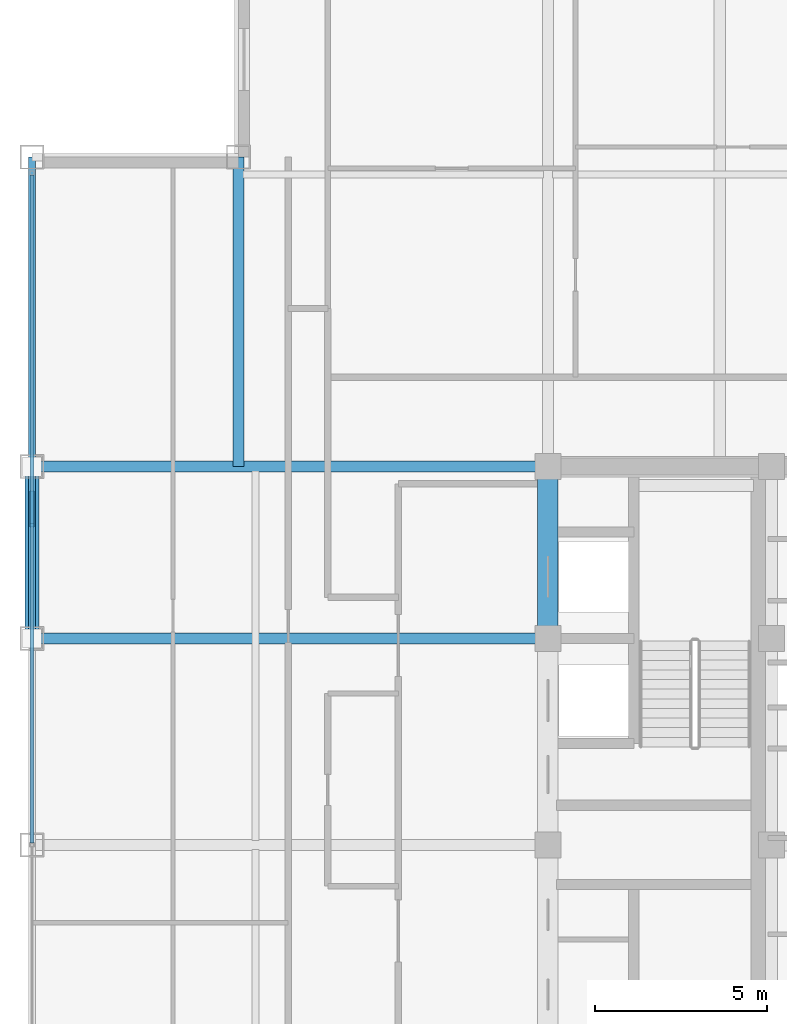
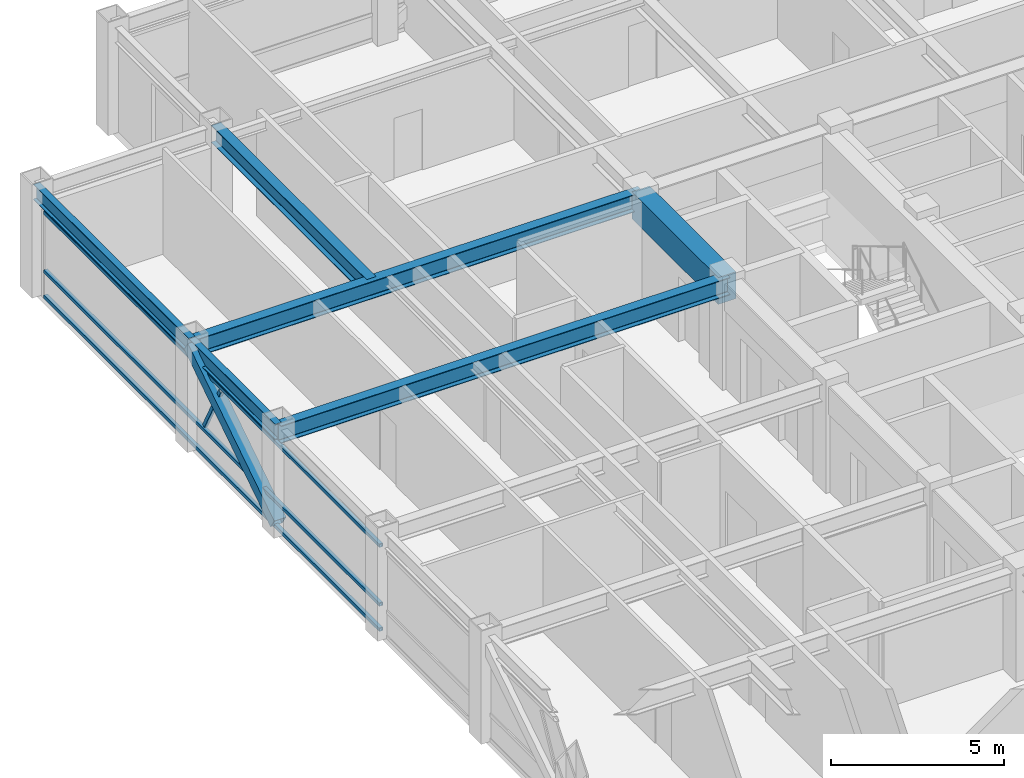
# One storey, part 13 of 29: 6 beams, 5 members, 1 element without a shape of its own.
"""IFC4 building model written with IfcOpenShell, lengths in metres."""

from ifc_helpers import new_model, si_unit, direction, frame, origin, origin_2d, place, context, subcontext, project, spatial, rectangle, hollow_rectangle, i_section, extrude, source, transform, mapped, material, material_profile, profile_set, type_object, element, aggregate, save


model = new_model("IFC4")

# Units and contexts
model_context = context("Model", 3, precision=1e-05, world=origin(), true_north=direction((0.0, 1.0)))
body_context = subcontext(model_context, "Body", "Model", "MODEL_VIEW")
ifc_project = project(units=[si_unit("LENGTHUNIT", "METRE"), si_unit("AREAUNIT", "SQUARE_METRE"), si_unit("VOLUMEUNIT", "CUBIC_METRE"), si_unit("PLANEANGLEUNIT", "RADIAN"), si_unit("MASSUNIT", "GRAM", prefix="KILO")], contexts=[model_context])

# Site, building, storey
site_placement = place(None, origin())
site = spatial("IfcSite", under=ifc_project, at=site_placement, CompositionType="ELEMENT")
building_placement = place(site_placement, origin())
building = spatial("IfcBuilding", under=site, at=building_placement, Name="Khorayat Bourse Tower", CompositionType="ELEMENT")
storey_placement = place(building_placement, frame((0.0, 0.0, 358.300048828125)))
storey = spatial("IfcBuildingStorey", under=building, at=storey_placement, Name="L85", CompositionType="ELEMENT", Elevation=358.300048828125)

# Beams
ifc_material_1 = material(Name="Concrete C60/75", Category="concrete")
ifc_material_profile_1 = material_profile(ifc_material_1, rectangle(XDim=0.60009765625, YDim=0.949951171875, at=origin_2d()), Name="RC 600x950")
ifc_profile_set_1 = profile_set([ifc_material_profile_1], Name="Concrete C60/75")
beam_type_1 = type_object("IfcBeamType", Name="BM-COUP-950", PredefinedType="BEAM", material=ifc_profile_set_1)
shared_shape_1 = source(origin(), body_context, "Body", "SweptSolid", [
    extrude(rectangle(XDim=0.60009765625, YDim=0.949951171875, at=origin_2d()), origin(), (0.0, 0.0, 1.0), 5.0),
])
beam_1_placement = place(storey_placement, frame((-11.0, 6.0, 3.264892578125), z_axis=(0.0, 1.0, 0.0), x_axis=(-1.0, 0.0, 0.0)))
element("IfcBeam", 1, at=beam_1_placement, inside=storey, type_object=beam_type_1, Name="L85 BM-COUP-950 BM-L85-CRX-04", PredefinedType="BEAM", context=body_context, shape_type="MappedRepresentation", body=[
    mapped(shared_shape_1, transform((0.0, 0.0, 0.0), scale=1.0)),
])
ifc_material_2 = material(Name="Steel ASTM A992 Grade 50", Category="steel")
ifc_material_profile_2 = material_profile(ifc_material_2, i_section(OverallWidth=0.214111328125, OverallDepth=0.549072265625, WebThickness=0.0146484375, FlangeThickness=0.023681640625, FilletRadius=0.013916015625, at=origin_2d()), Name="W530X138")
ifc_profile_set_2 = profile_set([ifc_material_profile_2], Name="Steel ASTM A992 Grade 50")
beam_type_2 = type_object("IfcBeamType", Name="BM-SPAN-530", PredefinedType="SPANDREL", material=ifc_profile_set_2)
shared_shape_2 = source(origin(), body_context, "Body", "SweptSolid", [
    extrude(i_section(OverallWidth=0.214111328125, OverallDepth=0.549072265625, WebThickness=0.0146484375, FlangeThickness=0.023681640625, FilletRadius=0.013916015625, at=origin_2d()), origin(), (0.0, 0.0, 1.0), 9.0),
])
beam_2_placement = place(storey_placement, frame((-26.0, 11.0, 3.46533203125), z_axis=(0.0, 1.0, 0.0), x_axis=(-1.0, 0.0, 0.0)))
element("IfcBeam", 2, at=beam_2_placement, inside=storey, type_object=beam_type_2, Name="L85 BM-SPAN-530 BM-L85-SPN-048", PredefinedType="SPANDREL", context=body_context, shape_type="MappedRepresentation", body=[
    mapped(shared_shape_2, transform((0.0, 0.0, 0.0), scale=1.0)),
])
shared_shape_3 = source(origin(), body_context, "Body", "SweptSolid", [
    extrude(i_section(OverallWidth=0.214111328125, OverallDepth=0.549072265625, WebThickness=0.0146484375, FlangeThickness=0.023681640625, FilletRadius=0.013916015625, at=origin_2d()), origin(), (0.0, 0.0, 1.0), 5.0),
])
beam_3_placement = place(storey_placement, frame((-26.0, 6.0, 3.46533203125), z_axis=(0.0, 1.0, 0.0), x_axis=(-1.0, 0.0, 0.0)))
element("IfcBeam", 3, at=beam_3_placement, inside=storey, type_object=beam_type_2, Name="L85 BM-SPAN-530 BM-L85-SPN-049", PredefinedType="SPANDREL", context=body_context, shape_type="MappedRepresentation", body=[
    mapped(shared_shape_3, transform((0.0, 0.0, 0.0), scale=1.0)),
])
ifc_material_profile_3 = material_profile(ifc_material_2, i_section(OverallWidth=0.324951171875, OverallDepth=0.615966796875, WebThickness=0.013916015625, FlangeThickness=0.021484375, FilletRadius=0.01611328125, at=origin_2d()), Name="W610X174")
ifc_profile_set_3 = profile_set([ifc_material_profile_3], Name="Steel ASTM A992 Grade 50")
beam_type_3 = type_object("IfcBeamType", Name="BM-GIRD-610", PredefinedType="BEAM", material=ifc_profile_set_3)
shared_shape_4 = source(origin(), body_context, "Body", "SweptSolid", [
    extrude(i_section(OverallWidth=0.324951171875, OverallDepth=0.615966796875, WebThickness=0.013916015625, FlangeThickness=0.021484375, FilletRadius=0.01611328125, at=origin_2d()), origin(), (0.0, 0.0, 1.0), 15.0),
])
for number, where, z_axis, x_axis, name in (
    (4, (-26.0, 6.0, 3.431884765625), (1.0, 0.0, 0.0), (0.0, 1.0, 0.0), "L85 BM-GIRD-610 BM-L85-RADX-073"),
    (5, (-26.0, 11.0, 3.431884765625), (1.0, 0.0, 0.0), (0.0, 1.0, 0.0), "L85 BM-GIRD-610 BM-L85-RADX-075"),
):
    element("IfcBeam", number, at=place(storey_placement, frame(where, z_axis=z_axis, x_axis=x_axis)), inside=storey, type_object=beam_type_3, Name=name, PredefinedType="BEAM", context=body_context, shape_type="MappedRepresentation", body=[
        mapped(shared_shape_4, transform((0.0, 0.0, 0.0), scale=1.0)),
    ])
shared_shape_5 = source(origin(), body_context, "Body", "SweptSolid", [
    extrude(i_section(OverallWidth=0.324951171875, OverallDepth=0.615966796875, WebThickness=0.013916015625, FlangeThickness=0.021484375, FilletRadius=0.01611328125, at=origin_2d()), origin(), (0.0, 0.0, 1.0), 9.0),
])
beam_4_placement = place(storey_placement, frame((-20.0, 11.0, 3.431884765625), z_axis=(0.0, 1.0, 0.0), x_axis=(-1.0, 0.0, 0.0)))
element("IfcBeam", 6, at=beam_4_placement, inside=storey, type_object=beam_type_3, Name="L85 BM-GIRD-610 BM-L85-CNRY-077", PredefinedType="BEAM", context=body_context, shape_type="MappedRepresentation", body=[
    mapped(shared_shape_5, transform((0.0, 0.0, 0.0), scale=1.0)),
])

# Member
ifc_material_3 = material(Name="Steel EN 10025-4 S460M", Category="steel")
ifc_material_profile_4 = material_profile(ifc_material_3, hollow_rectangle(XDim=0.39990234375, YDim=0.39990234375, WallThickness=0.02197265625, at=origin_2d()), Name="HSS 400x400x22")
ifc_profile_set_4 = profile_set([ifc_material_profile_4], Name="Steel EN 10025-4 S460M")
member_type_1 = type_object("IfcMemberType", Name="MBR-TUBE-400", PredefinedType="BRACE", material=ifc_profile_set_4)
shared_shape_6 = source(origin(), body_context, "Body", "SweptSolid", [
    extrude(hollow_rectangle(XDim=0.39990234375, YDim=0.39990234375, WallThickness=0.02197265625, at=origin_2d()), origin(), (0.0, 0.0, 1.0), 5.9580078125),
])
member_1_placement = place(storey_placement, frame((-26.0, 6.0, 0.25), z_axis=(0.0, 0.839210474455, 0.543806748364), x_axis=(-1.0, 0.0, 0.0)))
element("IfcMember", 7, at=member_1_placement, inside=storey, type_object=member_type_1, Name="L85 Perimeter Tube Brace 06", PredefinedType="BRACE", context=body_context, shape_type="MappedRepresentation", body=[
    mapped(shared_shape_6, transform((0.0, 0.0, 0.0), scale=1.0)),
])

# Curtain wall, members
ifc_material_4 = material(Name="Aluminium EN AW-6063 T6", Category="aluminium")
curtain_wall_type = type_object("IfcCurtainWallType", Name="CW-SYS-04", PredefinedType="NOTDEFINED", material=ifc_material_4)
curtain_wall_placement = place(storey_placement, origin())
curtain_wall = element("IfcCurtainWall", 8, at=curtain_wall_placement, inside=storey, type_object=curtain_wall_type, Name="L85 Curtain Wall CW-L85-W1", PredefinedType="NOTDEFINED")
ifc_material_profile_5 = material_profile(ifc_material_4, hollow_rectangle(XDim=0.1201171875, YDim=0.1201171875, WallThickness=0.0048828125, at=origin_2d()), Name="ALU 120x120x5")
ifc_profile_set_5 = profile_set([ifc_material_profile_5], Name="Aluminium EN AW-6063 T6")
member_type_2 = type_object("IfcMemberType", Name="CWM-DIAG-120", PredefinedType="MULLION", material=ifc_profile_set_5)
shared_shape_7 = source(origin(), body_context, "Body", "SweptSolid", [
    extrude(hollow_rectangle(XDim=0.1201171875, YDim=0.1201171875, WallThickness=0.0048828125, at=origin_2d()), origin(), (0.0, 0.0, 1.0), 2.0341796875),
])
member_2_placement = place(storey_placement, frame((-26.0, 10.24365234375, 1.08984375), z_axis=(0.0, -0.465696964104, 0.884944256789), x_axis=(1.0, 0.0, 0.0)))
member_2 = element("IfcMember", 9, at=member_2_placement, type_object=member_type_2, Name="CW-L85-W1 Faceted Diagonal Mullion 2", PredefinedType="MULLION", context=body_context, shape_type="MappedRepresentation", body=[
    mapped(shared_shape_7, transform((0.0, 0.0, 0.0), scale=1.0)),
])
ifc_material_profile_6 = material_profile(ifc_material_4, hollow_rectangle(XDim=0.1201171875, YDim=0.1201171875, WallThickness=0.0048828125, at=origin_2d()), Name="ALU 120x120x5")
ifc_profile_set_6 = profile_set([ifc_material_profile_6], Name="Aluminium EN AW-6063 T6")
member_type_3 = type_object("IfcMemberType", Name="CWT-HORZ-120", PredefinedType="USERDEFINED", material=ifc_profile_set_6)
shared_shape_8 = source(origin(), body_context, "Body", "SweptSolid", [
    extrude(hollow_rectangle(XDim=0.1201171875, YDim=0.1201171875, WallThickness=0.0048828125, at=origin_2d()), origin(), (0.0, 0.0, 1.0), 19.419921875),
])
member_3_placement = place(storey_placement, frame((-26.0, 0.06005859375, 0.06005859375), z_axis=(0.0, 1.0, 0.0), x_axis=(-1.0, 0.0, 0.0)))
member_3 = element("IfcMember", 10, at=member_3_placement, type_object=member_type_3, Name="CW-L85-W1 Horizontal Transom 2-1", ObjectType="TRANSOM", PredefinedType="USERDEFINED", context=body_context, shape_type="MappedRepresentation", body=[
    mapped(shared_shape_8, transform((0.0, 0.0, 0.0), scale=1.0)),
])
member_4_placement = place(storey_placement, frame((-26.0, 0.06005859375, 0.949951171875), z_axis=(0.0, 1.0, 0.0), x_axis=(-1.0, 0.0, 0.0)))
member_4 = element("IfcMember", 11, at=member_4_placement, type_object=member_type_3, Name="CW-L85-W1 Horizontal Transom 2-2", ObjectType="TRANSOM", PredefinedType="USERDEFINED", context=body_context, shape_type="MappedRepresentation", body=[
    mapped(shared_shape_8, transform((0.0, 0.0, 0.0), scale=1.0)),
])
member_5_placement = place(storey_placement, frame((-26.0, 0.06005859375, 3.030029296875), z_axis=(0.0, 1.0, 0.0), x_axis=(-1.0, 0.0, 0.0)))
member_5 = element("IfcMember", 12, at=member_5_placement, type_object=member_type_3, Name="CW-L85-W1 Horizontal Transom 2-3", ObjectType="TRANSOM", PredefinedType="USERDEFINED", context=body_context, shape_type="MappedRepresentation", body=[
    mapped(shared_shape_8, transform((0.0, 0.0, 0.0), scale=1.0)),
])
aggregate(curtain_wall, [member_3, member_4, member_5, member_2])

save(model, "model.ifc")
